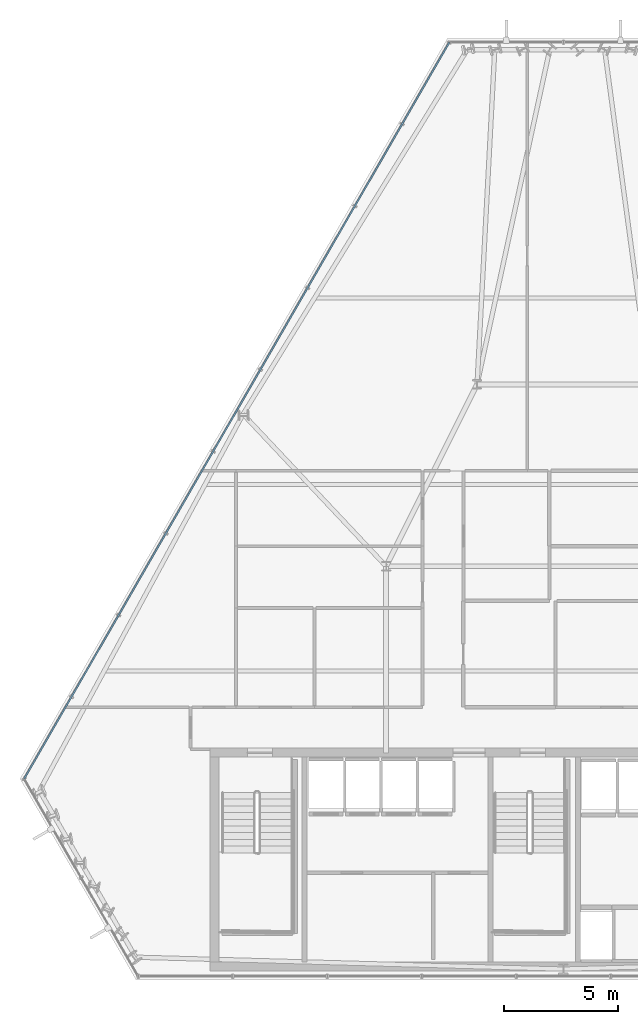
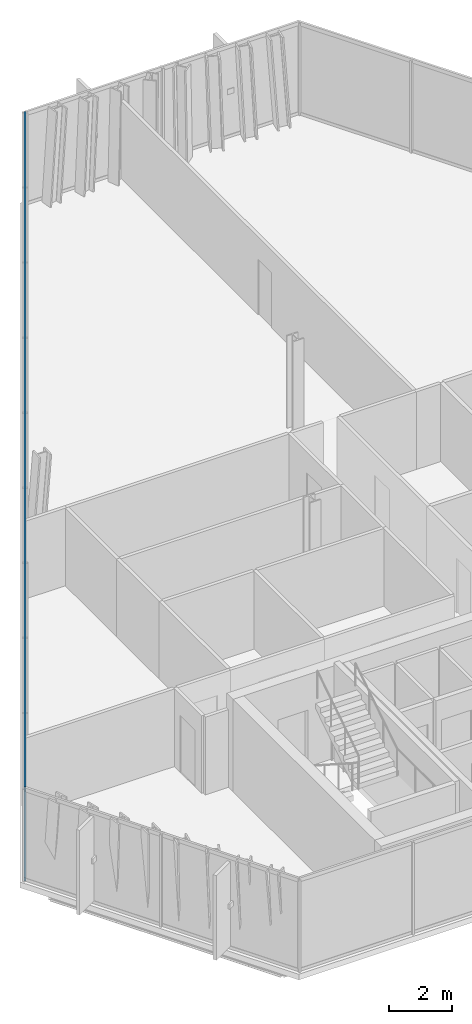
# One storey, part 12 of 35: 2 members, 1 element without a shape of its own.
"""IFC4 building model written with IfcOpenShell, lengths in metres."""

from ifc_helpers import new_model, si_unit, direction, frame, origin, origin_2d, place, context, subcontext, project, spatial, hollow_rectangle, extrude, material, layer, layer_set, material_profile, profile_set, type_object, element, aggregate, save


model = new_model("IFC4")

# Units and contexts
model_context = context("Model", 3, precision=1e-05, world=origin(), true_north=direction((0.0, 1.0)))
body_context = subcontext(model_context, "Body", "Model", "MODEL_VIEW")
ifc_project = project(units=[si_unit("LENGTHUNIT", "METRE"), si_unit("AREAUNIT", "SQUARE_METRE"), si_unit("VOLUMEUNIT", "CUBIC_METRE"), si_unit("PLANEANGLEUNIT", "RADIAN"), si_unit("MASSUNIT", "GRAM", prefix="KILO")], contexts=[model_context])

# Site, building, storey
site_placement = place(None, origin())
site = spatial("IfcSite", under=ifc_project, at=site_placement, CompositionType="ELEMENT")
building_placement = place(site_placement, origin())
building = spatial("IfcBuilding", under=site, at=building_placement, Name="Ndaravel Arena Tower", CompositionType="ELEMENT")
storey_placement = place(building_placement, frame((0.0, 0.0, 180.199951171875)))
storey = spatial("IfcBuildingStorey", under=building, at=storey_placement, Name="L43", CompositionType="ELEMENT", Elevation=180.199951171875)

# Curtain wall, members
ifc_material_1 = material(Name="Aluminium", Category="aluminium")
ifc_layer = layer(ifc_material_1, 0.179931640625)
ifc_layer_set = layer_set([ifc_layer], Name="Aluminium")
curtain_wall_type = type_object("IfcCurtainWallType", Name="CW-SYS-03", PredefinedType="NOTDEFINED", material=ifc_layer_set)
curtain_wall_placement = place(storey_placement, origin())
curtain_wall = element("IfcCurtainWall", 1, at=curtain_wall_placement, inside=storey, type_object=curtain_wall_type, Name="L43 Faceted Crystal Curtain Wall CW-L43-E05", PredefinedType="NOTDEFINED")
ifc_material_2 = material(Name="Aluminium", Category="aluminium")
ifc_material_profile = material_profile(ifc_material_2, hollow_rectangle(XDim=0.074951171875, YDim=0.14990234375, WallThickness=0.00390625, at=origin_2d()), Name="CW TRANSOM 75x150x4")
ifc_profile_set = profile_set([ifc_material_profile], Name="Aluminium")
member_type = type_object("IfcMemberType", Name="MEM-CW-TRN150", PredefinedType="USERDEFINED", material=ifc_profile_set)
member_1_placement = place(storey_placement, frame((36.981201171875, 46.248291015625, 0.0400390625), z_axis=(-0.499996270439, -0.866027557037, 0.0), x_axis=(0.866027557037, -0.499996270439, 0.0)))
member_1 = element("IfcMember", 2, at=member_1_placement, type_object=member_type, Name="CW-L43-E05 Transom 01", ObjectType="TRANSOM", PredefinedType="USERDEFINED", context=body_context, shape_type="SweptSolid", body=[
    extrude(hollow_rectangle(XDim=0.074951171875, YDim=0.14990234375, WallThickness=0.00390625, at=origin_2d()), origin(), (0.0, 0.0, 1.0), 37.406982421875),
])
member_2_placement = place(storey_placement, frame((36.981201171875, 46.248291015625, 3.5400390625), z_axis=(-0.499996270439, -0.866027557037, 0.0), x_axis=(0.866027557037, -0.499996270439, 0.0)))
member_2 = element("IfcMember", 3, at=member_2_placement, type_object=member_type, Name="CW-L43-E05 Transom 02", ObjectType="TRANSOM", PredefinedType="USERDEFINED", context=body_context, shape_type="SweptSolid", body=[
    extrude(hollow_rectangle(XDim=0.074951171875, YDim=0.14990234375, WallThickness=0.00390625, at=origin_2d()), origin(), (0.0, 0.0, 1.0), 37.406982421875),
])
aggregate(curtain_wall, [member_1, member_2])

save(model, "model.ifc")
